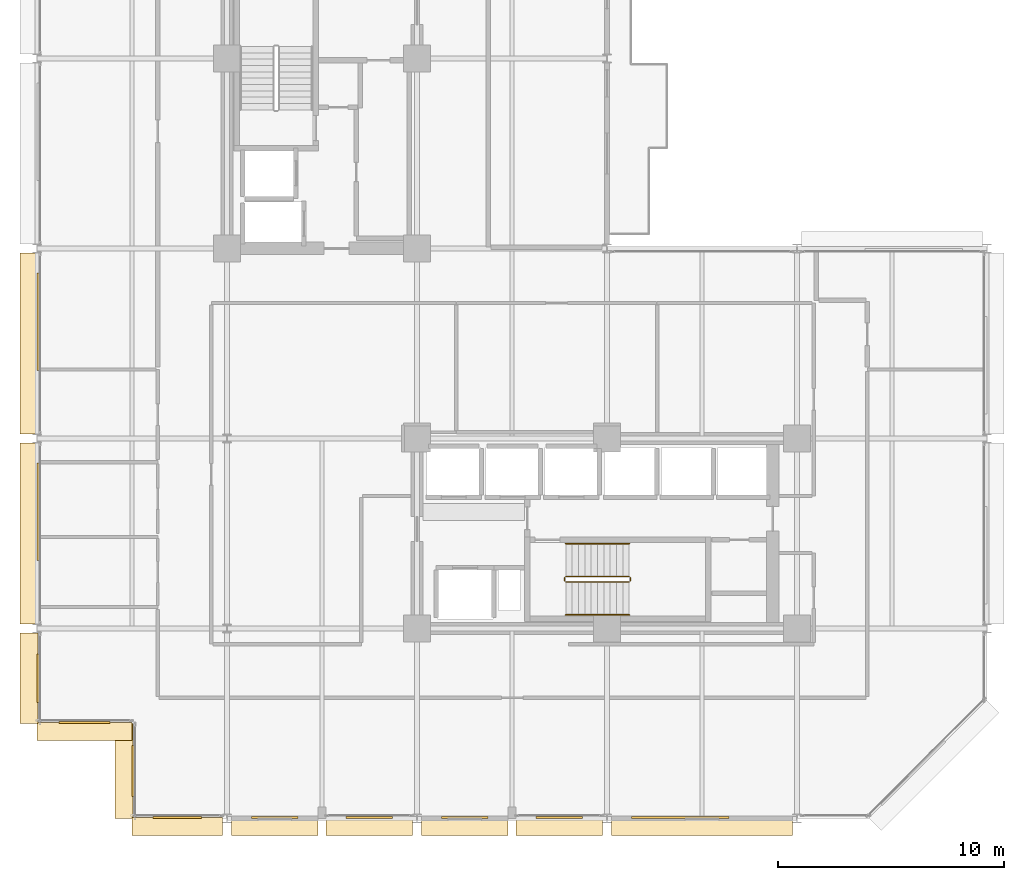
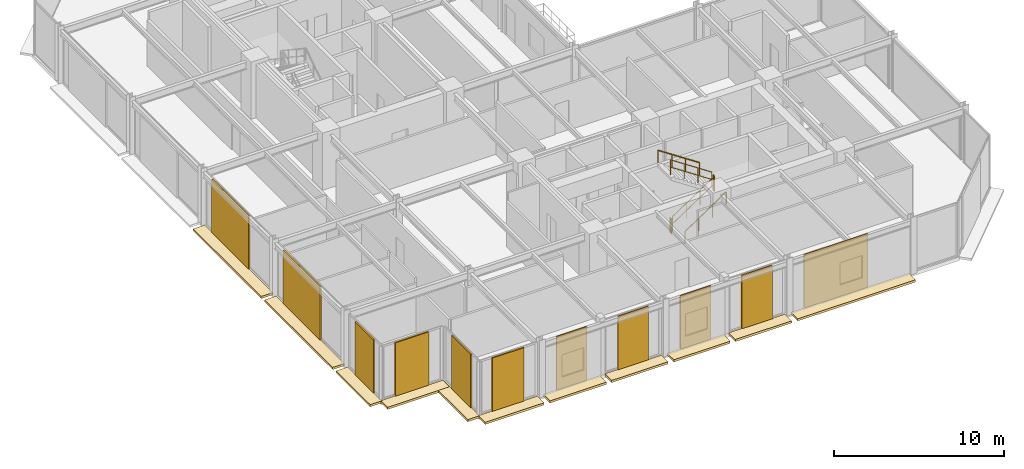
# One storey, part 27 of 30: 22 coverings, 6 railings.
"""IFC4 building model written with IfcOpenShell, lengths in metres."""

from ifc_helpers import new_model, si_unit, direction, frame, origin, origin_2d, place, context, subcontext, project, spatial, polyline, rectangle, circle, outline, extrude, material, layer, layer_set, type_object, element, save


model = new_model("IFC4")

# Units and contexts
model_context = context("Model", 3, precision=1e-05, world=origin(), true_north=direction((0.0, 1.0)))
body_context = subcontext(model_context, "Body", "Model", "MODEL_VIEW")
ifc_project = project(units=[si_unit("LENGTHUNIT", "METRE"), si_unit("AREAUNIT", "SQUARE_METRE"), si_unit("VOLUMEUNIT", "CUBIC_METRE"), si_unit("PLANEANGLEUNIT", "RADIAN"), si_unit("MASSUNIT", "GRAM", prefix="KILO")], contexts=[model_context])

# Site, building, storey
site_placement = place(None, origin())
site = spatial("IfcSite", under=ifc_project, at=site_placement, CompositionType="ELEMENT")
building_placement = place(site_placement, origin())
building = spatial("IfcBuilding", under=site, at=building_placement, Name="Nerrivon Quay Data Exchange", CompositionType="ELEMENT")
storey_placement = place(building_placement, frame((0.0, 0.0, 141.800048828125)))
storey = spatial("IfcBuildingStorey", under=building, at=storey_placement, Name="L33", CompositionType="ELEMENT", Elevation=141.800048828125)

# Coverings
ifc_material_1 = material(Name="Architectural terracotta ceramic", Category="masonry")
ifc_layer_1 = layer(ifc_material_1, 0.159912109375)
ifc_layer_set_1 = layer_set([ifc_layer_1], Name="Architectural terracotta ceramic")
covering_type_1 = type_object("IfcCoveringType", Name="COV-BLD-TERR", PredefinedType="CLADDING", material=ifc_layer_set_1)
covering_1_placement = place(storey_placement, frame((0.0, 0.0, -0.16015625)))
element("IfcCovering", 1, at=covering_1_placement, inside=storey, type_object=covering_type_1, Name="L33 Horizontal Terracotta SOLAR SCREEN Blade", PredefinedType="CLADDING", context=body_context, shape_type="SweptSolid", body=[
    extrude(outline(polyline([(33.39990234375, 0.0400390625), (25.39990234375, 0.0400390625), (25.39990234375, -0.75), (33.39990234375, -0.75), (33.39990234375, 0.0400390625)])), origin(), (0.0, 0.0, 1.0), 0.16015625),
])
covering_2_placement = place(storey_placement, frame((0.0, 0.0, -0.16015625)))
element("IfcCovering", 2, at=covering_2_placement, inside=storey, type_object=covering_type_1, Name="L33 Horizontal Terracotta SOLAR SCREEN Blade", PredefinedType="CLADDING", context=body_context, shape_type="SweptSolid", body=[
    extrude(outline(polyline([(25.0, 0.0400390625), (21.175048828125, 0.0400390625), (21.175048828125, -0.75), (25.0, -0.75), (25.0, 0.0400390625)])), origin(), (0.0, 0.0, 1.0), 0.16015625),
])
covering_3_placement = place(storey_placement, frame((0.0, 0.0, -0.16015625)))
element("IfcCovering", 3, at=covering_3_placement, inside=storey, type_object=covering_type_1, Name="L33 Horizontal Terracotta SOLAR SCREEN Blade", PredefinedType="CLADDING", context=body_context, shape_type="SweptSolid", body=[
    extrude(outline(polyline([(20.824951171875, 0.0400390625), (17.0, 0.0400390625), (17.0, -0.75), (20.824951171875, -0.75), (20.824951171875, 0.0400390625)])), origin(), (0.0, 0.0, 1.0), 0.16015625),
])
covering_4_placement = place(storey_placement, frame((0.0, 0.0, -0.16015625)))
element("IfcCovering", 4, at=covering_4_placement, inside=storey, type_object=covering_type_1, Name="L33 Horizontal Terracotta SOLAR SCREEN Blade", PredefinedType="CLADDING", context=body_context, shape_type="SweptSolid", body=[
    extrude(outline(polyline([(16.60009765625, 0.0400390625), (12.77490234375, 0.0400390625), (12.77490234375, -0.75), (16.60009765625, -0.75), (16.60009765625, 0.0400390625)])), origin(), (0.0, 0.0, 1.0), 0.16015625),
])
covering_5_placement = place(storey_placement, frame((0.0, 0.0, -0.16015625)))
element("IfcCovering", 5, at=covering_5_placement, inside=storey, type_object=covering_type_1, Name="L33 Horizontal Terracotta SOLAR SCREEN Blade", PredefinedType="CLADDING", context=body_context, shape_type="SweptSolid", body=[
    extrude(outline(polyline([(12.425048828125, 0.0400390625), (8.60009765625, 0.0400390625), (8.60009765625, -0.75), (12.425048828125, -0.75), (12.425048828125, 0.0400390625)])), origin(), (0.0, 0.0, 1.0), 0.16015625),
])
covering_6_placement = place(storey_placement, frame((0.0, 0.0, -0.16015625)))
element("IfcCovering", 6, at=covering_6_placement, inside=storey, type_object=covering_type_1, Name="L33 Horizontal Terracotta SOLAR SCREEN Blade", PredefinedType="CLADDING", context=body_context, shape_type="SweptSolid", body=[
    extrude(outline(polyline([(8.199951171875, 0.0400390625), (4.199951171875, 0.0400390625), (4.199951171875, -0.75), (8.199951171875, -0.75), (8.199951171875, 0.0400390625)])), origin(), (0.0, 0.0, 1.0), 0.16015625),
])
covering_7_placement = place(storey_placement, frame((0.0, 0.0, -0.16015625)))
element("IfcCovering", 7, at=covering_7_placement, inside=storey, type_object=covering_type_1, Name="L33 Horizontal Terracotta SOLAR SCREEN Blade", PredefinedType="CLADDING", context=body_context, shape_type="SweptSolid", body=[
    extrude(outline(polyline([(4.239990234375, 0.0), (4.239990234375, 4.199951171875), (3.449951171875, 4.199951171875), (3.449951171875, 0.0), (4.239990234375, 0.0)])), origin(), (0.0, 0.0, 1.0), 0.16015625),
])
covering_8_placement = place(storey_placement, frame((0.0, 0.0, -0.16015625)))
element("IfcCovering", 8, at=covering_8_placement, inside=storey, type_object=covering_type_1, Name="L33 Horizontal Terracotta SOLAR SCREEN Blade", PredefinedType="CLADDING", context=body_context, shape_type="SweptSolid", body=[
    extrude(outline(polyline([(4.199951171875, 4.239990234375), (0.0, 4.239990234375), (0.0, 3.449951171875), (4.199951171875, 3.449951171875), (4.199951171875, 4.239990234375)])), origin(), (0.0, 0.0, 1.0), 0.16015625),
])
covering_9_placement = place(storey_placement, frame((0.0, 0.0, -0.16015625)))
element("IfcCovering", 9, at=covering_9_placement, inside=storey, type_object=covering_type_1, Name="L33 Horizontal Terracotta SOLAR SCREEN Blade", PredefinedType="CLADDING", context=body_context, shape_type="SweptSolid", body=[
    extrude(outline(polyline([(0.0400390625, 4.199951171875), (0.0400390625, 8.199951171875), (-0.75, 8.199951171875), (-0.75, 4.199951171875), (0.0400390625, 4.199951171875)])), origin(), (0.0, 0.0, 1.0), 0.16015625),
])
covering_10_placement = place(storey_placement, frame((0.0, 0.0, -0.16015625)))
element("IfcCovering", 10, at=covering_10_placement, inside=storey, type_object=covering_type_1, Name="L33 Horizontal Terracotta SOLAR SCREEN Blade", PredefinedType="CLADDING", context=body_context, shape_type="SweptSolid", body=[
    extrude(outline(polyline([(0.0400390625, 8.60009765625), (0.0400390625, 16.60009765625), (-0.75, 16.60009765625), (-0.75, 8.60009765625), (0.0400390625, 8.60009765625)])), origin(), (0.0, 0.0, 1.0), 0.16015625),
])
covering_11_placement = place(storey_placement, frame((0.0, 0.0, -0.16015625)))
element("IfcCovering", 11, at=covering_11_placement, inside=storey, type_object=covering_type_1, Name="L33 Horizontal Terracotta SOLAR SCREEN Blade", PredefinedType="CLADDING", context=body_context, shape_type="SweptSolid", body=[
    extrude(outline(polyline([(0.0400390625, 17.0), (0.0400390625, 25.0), (-0.75, 25.0), (-0.75, 17.0), (0.0400390625, 17.0)])), origin(), (0.0, 0.0, 1.0), 0.16015625),
])
ifc_layer_2 = layer(ifc_material_1, 0.090087890625)
ifc_layer_set_2 = layer_set([ifc_layer_2], Name="Architectural terracotta ceramic")
covering_type_2 = type_object("IfcCoveringType", Name="COV-SCR-TERR", PredefinedType="CLADDING", material=ifc_layer_set_2)
covering_12_placement = place(storey_placement, frame((28.43994140625, 0.044921875, 0.0), z_axis=(0.0, 0.0, 1.0), x_axis=(-1.0, 0.0, 0.0)))
element("IfcCovering", 12, at=covering_12_placement, inside=storey, type_object=covering_type_2, Name="L33 Perforated Terracotta SOLAR SCREEN Cassette", PredefinedType="CLADDING", context=body_context, shape_type="SweptSolid", body=[
    extrude(rectangle(XDim=4.320068359375, YDim=0.090087890625, at=origin_2d()), origin(), (0.0, 0.0, 1.0), 3.824951171875),
])
for number, where, z_axis, x_axis, name in (
    (13, (23.08740234375, 0.044921875, 0.0), (0.0, 0.0, 1.0), (-1.0, 0.0, 0.0), "L33 Perforated Terracotta SOLAR SCREEN Cassette"),
    (14, (18.91259765625, 0.044921875, 0.0), (0.0, 0.0, 1.0), (-1.0, 0.0, 0.0), "L33 Perforated Terracotta SOLAR SCREEN Cassette"),
):
    element("IfcCovering", number, at=place(storey_placement, frame(where, z_axis=z_axis, x_axis=x_axis)), inside=storey, type_object=covering_type_2, Name=name, PredefinedType="CLADDING", context=body_context, shape_type="SweptSolid", body=[
        extrude(rectangle(XDim=2.06494140625, YDim=0.090087890625, at=origin_2d()), origin(), (0.0, 0.0, 1.0), 3.824951171875),
    ])
for number, where, z_axis, x_axis, name in (
    (15, (14.6875, 0.044921875, 0.0), (0.0, 0.0, 1.0), (-1.0, 0.0, 0.0), "L33 Perforated Terracotta SOLAR SCREEN Cassette"),
    (16, (10.512451171875, 0.044921875, 0.0), (0.0, 0.0, 1.0), (-1.0, 0.0, 0.0), "L33 Perforated Terracotta SOLAR SCREEN Cassette"),
):
    element("IfcCovering", number, at=place(storey_placement, frame(where, z_axis=z_axis, x_axis=x_axis)), inside=storey, type_object=covering_type_2, Name=name, PredefinedType="CLADDING", context=body_context, shape_type="SweptSolid", body=[
        extrude(rectangle(XDim=2.06591796875, YDim=0.090087890625, at=origin_2d()), origin(), (0.0, 0.0, 1.0), 3.824951171875),
    ])
covering_13_placement = place(storey_placement, frame((6.199951171875, 0.044921875, 0.0), z_axis=(0.0, 0.0, 1.0), x_axis=(-1.0, 0.0, 0.0)))
element("IfcCovering", 17, at=covering_13_placement, inside=storey, type_object=covering_type_2, Name="L33 Perforated Terracotta SOLAR SCREEN Cassette", PredefinedType="CLADDING", context=body_context, shape_type="SweptSolid", body=[
    extrude(rectangle(XDim=2.159912109375, YDim=0.090087890625, at=origin_2d()), origin(), (0.0, 0.0, 1.0), 3.824951171875),
])
for number, where, z_axis, x_axis, name in (
    (18, (4.2451171875, 2.10009765625, 0.0), (0.0, 0.0, 1.0), (0.0, 1.0, 0.0), "L33 Perforated Terracotta SOLAR SCREEN Cassette"),
    (19, (2.10009765625, 4.2451171875, 0.0), (0.0, 0.0, 1.0), (-1.0, 0.0, 0.0), "L33 Perforated Terracotta SOLAR SCREEN Cassette"),
):
    element("IfcCovering", number, at=place(storey_placement, frame(where, z_axis=z_axis, x_axis=x_axis)), inside=storey, type_object=covering_type_2, Name=name, PredefinedType="CLADDING", context=body_context, shape_type="SweptSolid", body=[
        extrude(rectangle(XDim=2.26806640625, YDim=0.090087890625, at=origin_2d()), origin(), (0.0, 0.0, 1.0), 3.824951171875),
    ])
covering_14_placement = place(storey_placement, frame((0.044921875, 6.199951171875, 0.0), z_axis=(0.0, 0.0, 1.0), x_axis=(0.0, 1.0, 0.0)))
element("IfcCovering", 20, at=covering_14_placement, inside=storey, type_object=covering_type_2, Name="L33 Perforated Terracotta SOLAR SCREEN Cassette", PredefinedType="CLADDING", context=body_context, shape_type="SweptSolid", body=[
    extrude(rectangle(XDim=2.159912109375, YDim=0.090087890625, at=origin_2d()), origin(), (0.0, 0.0, 1.0), 3.824951171875),
])
for number, where, z_axis, x_axis, name in (
    (21, (0.044921875, 13.56005859375, 0.0), (0.0, 0.0, 1.0), (0.0, 1.0, 0.0), "L33 Perforated Terracotta SOLAR SCREEN Cassette"),
    (22, (0.044921875, 21.9599609375, 0.0), (0.0, 0.0, 1.0), (0.0, 1.0, 0.0), "L33 Perforated Terracotta SOLAR SCREEN Cassette"),
):
    element("IfcCovering", number, at=place(storey_placement, frame(where, z_axis=z_axis, x_axis=x_axis)), inside=storey, type_object=covering_type_2, Name=name, PredefinedType="CLADDING", context=body_context, shape_type="SweptSolid", body=[
        extrude(rectangle(XDim=4.320068359375, YDim=0.090087890625, at=origin_2d()), origin(), (0.0, 0.0, 1.0), 3.824951171875),
    ])

# Railings
ifc_material_2 = material(Name="Steel Grade C350L0 (350 MPa)", Category="steel")
railing_type_1 = type_object("IfcRailingType", Name="RAIL-HAND-HR1", PredefinedType="HANDRAIL", material=ifc_material_2)
railing_1_placement = place(storey_placement, frame((23.3798828125, 9.0, 0.186279296875)))
element("IfcRailing", 23, at=railing_1_placement, inside=storey, type_object=railing_type_1, Name="L33 ST02 stair handrail 1", PredefinedType="HANDRAIL", context=body_context, shape_type="SweptSolid", body=[
    extrude(circle(Radius=0.02392578125, at=origin_2d()), frame((0.0, 0.0, 0.8759765625), z_axis=(0.832452072856, 0.0, 0.554097055034), x_axis=(0.0, 1.0, 0.0)), (0.0, 0.0, 1.0), 3.363525390625),
    extrude(circle(Radius=0.02099609375, at=origin_2d()), origin(), (0.0, 0.0, 1.0), 0.851806640625),
    extrude(circle(Radius=0.02099609375, at=origin_2d()), frame((0.933349609375, 0.0, 0.621337890625)), (0.0, 0.0, 1.0), 0.851806640625),
    extrude(circle(Radius=0.02099609375, at=origin_2d()), frame((1.86669921875, 0.0, 1.242431640625)), (0.0, 0.0, 1.0), 0.851806640625),
    extrude(circle(Radius=0.02099609375, at=origin_2d()), frame((2.800048828125, 0.0, 1.86376953125)), (0.0, 0.0, 1.0), 0.851806640625),
])
railing_2_placement = place(storey_placement, frame((26.179931640625, 12.14990234375, 2.236328125)))
element("IfcRailing", 24, at=railing_2_placement, inside=storey, type_object=railing_type_1, Name="L33 ST02 stair handrail 2", PredefinedType="HANDRAIL", context=body_context, shape_type="SweptSolid", body=[
    extrude(circle(Radius=0.02392578125, at=origin_2d()), frame((0.0, 0.0, 0.8759765625), z_axis=(-0.832485552168, 0.0, 0.554046753832), x_axis=(0.0, -1.0, 0.0)), (0.0, 0.0, 1.0), 3.363525390625),
    extrude(circle(Radius=0.02099609375, at=origin_2d()), origin(), (0.0, 0.0, 1.0), 0.851806640625),
    extrude(circle(Radius=0.02099609375, at=origin_2d()), frame((-0.933349609375, 0.0, 0.62109375)), (0.0, 0.0, 1.0), 0.851806640625),
    extrude(circle(Radius=0.02099609375, at=origin_2d()), frame((-1.86669921875, 0.0, 1.242431640625)), (0.0, 0.0, 1.0), 0.851806640625),
    extrude(circle(Radius=0.02099609375, at=origin_2d()), frame((-2.800048828125, 0.0, 1.863525390625)), (0.0, 0.0, 1.0), 0.851806640625),
])
railing_type_2 = type_object("IfcRailingType", Name="RAIL-STAIR-GR1", PredefinedType="BALUSTRADE", material=ifc_material_2)
railing_3_placement = place(storey_placement, frame((23.3798828125, 10.449951171875, 0.186279296875)))
element("IfcRailing", 25, at=railing_3_placement, inside=storey, type_object=railing_type_2, Name="L33 ST02 stair guard 1", PredefinedType="BALUSTRADE", context=body_context, shape_type="SweptSolid", body=[
    extrude(circle(Radius=0.02392578125, at=origin_2d()), frame((0.0, 0.0, 1.076171875), z_axis=(0.832452072856, 0.0, 0.554097055034), x_axis=(0.0, 1.0, 0.0)), (0.0, 0.0, 1.0), 3.363525390625),
    extrude(circle(Radius=0.02392578125, at=origin_2d()), frame((0.0, 0.0, 0.550048828125), z_axis=(0.832452072856, 0.0, 0.554097055034), x_axis=(0.0, 1.0, 0.0)), (0.0, 0.0, 1.0), 3.363525390625),
    extrude(circle(Radius=0.02099609375, at=origin_2d()), origin(), (0.0, 0.0, 1.0), 1.052001953125),
    extrude(circle(Radius=0.02099609375, at=origin_2d()), frame((0.933349609375, 0.0, 0.621337890625)), (0.0, 0.0, 1.0), 1.052001953125),
    extrude(circle(Radius=0.02099609375, at=origin_2d()), frame((1.86669921875, 0.0, 1.242431640625)), (0.0, 0.0, 1.0), 1.052001953125),
    extrude(circle(Radius=0.02099609375, at=origin_2d()), frame((2.800048828125, 0.0, 1.86376953125)), (0.0, 0.0, 1.0), 1.052001953125),
])
railing_4_placement = place(storey_placement, frame((26.22998046875, 10.5, 2.050048828125)))
element("IfcRailing", 26, at=railing_4_placement, inside=storey, type_object=railing_type_2, Name="L33 ST02 stair guard 2", PredefinedType="BALUSTRADE", context=body_context, shape_type="SweptSolid", body=[
    extrude(circle(Radius=0.02392578125, at=origin_2d()), frame((0.0, 0.0, 1.076171875), z_axis=(0.0, 1.0, 0.0), x_axis=(-1.0, 0.0, 0.0)), (0.0, 0.0, 1.0), 0.14990234375),
    extrude(circle(Radius=0.02392578125, at=origin_2d()), frame((0.0, 0.0, 0.550048828125), z_axis=(0.0, 1.0, 0.0), x_axis=(-1.0, 0.0, 0.0)), (0.0, 0.0, 1.0), 0.14990234375),
    extrude(circle(Radius=0.02099609375, at=origin_2d()), origin(), (0.0, 0.0, 1.0), 1.052001953125),
    extrude(circle(Radius=0.02099609375, at=origin_2d()), frame((0.0, 0.14990234375, 0.0)), (0.0, 0.0, 1.0), 1.052001953125),
])
railing_5_placement = place(storey_placement, frame((26.179931640625, 10.699951171875, 2.236328125)))
element("IfcRailing", 27, at=railing_5_placement, inside=storey, type_object=railing_type_2, Name="L33 ST02 stair guard 3", PredefinedType="BALUSTRADE", context=body_context, shape_type="SweptSolid", body=[
    extrude(circle(Radius=0.02392578125, at=origin_2d()), frame((0.0, 0.0, 1.076171875), z_axis=(-0.832485552168, 0.0, 0.554046753832), x_axis=(0.0, -1.0, 0.0)), (0.0, 0.0, 1.0), 3.363525390625),
    extrude(circle(Radius=0.02392578125, at=origin_2d()), frame((0.0, 0.0, 0.550048828125), z_axis=(-0.832485552168, 0.0, 0.554046753832), x_axis=(0.0, -1.0, 0.0)), (0.0, 0.0, 1.0), 3.363525390625),
    extrude(circle(Radius=0.02099609375, at=origin_2d()), origin(), (0.0, 0.0, 1.0), 1.052001953125),
    extrude(circle(Radius=0.02099609375, at=origin_2d()), frame((-0.933349609375, 0.0, 0.62109375)), (0.0, 0.0, 1.0), 1.052001953125),
    extrude(circle(Radius=0.02099609375, at=origin_2d()), frame((-1.86669921875, 0.0, 1.242431640625)), (0.0, 0.0, 1.0), 1.052001953125),
    extrude(circle(Radius=0.02099609375, at=origin_2d()), frame((-2.800048828125, 0.0, 1.863525390625)), (0.0, 0.0, 1.0), 1.052001953125),
])
railing_6_placement = place(storey_placement, frame((23.330078125, 10.5, 0.0)))
element("IfcRailing", 28, at=railing_6_placement, inside=storey, type_object=railing_type_2, Name="L33 ST02 stair guard 4", PredefinedType="BALUSTRADE", context=body_context, shape_type="SweptSolid", body=[
    extrude(circle(Radius=0.02392578125, at=origin_2d()), frame((0.0, 0.0, 1.076171875), z_axis=(0.0, 1.0, 0.0), x_axis=(-1.0, 0.0, 0.0)), (0.0, 0.0, 1.0), 0.14990234375),
    extrude(circle(Radius=0.02392578125, at=origin_2d()), frame((0.0, 0.0, 0.550048828125), z_axis=(0.0, 1.0, 0.0), x_axis=(-1.0, 0.0, 0.0)), (0.0, 0.0, 1.0), 0.14990234375),
    extrude(circle(Radius=0.02099609375, at=origin_2d()), origin(), (0.0, 0.0, 1.0), 1.052001953125),
    extrude(circle(Radius=0.02099609375, at=origin_2d()), frame((0.0, 0.14990234375, 0.0)), (0.0, 0.0, 1.0), 1.052001953125),
])

save(model, "model.ifc")
